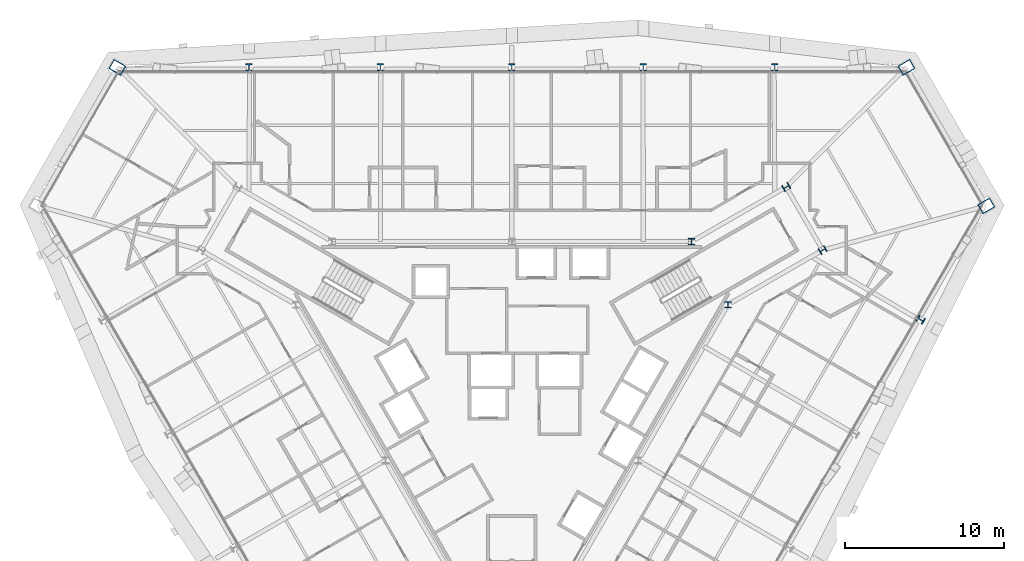
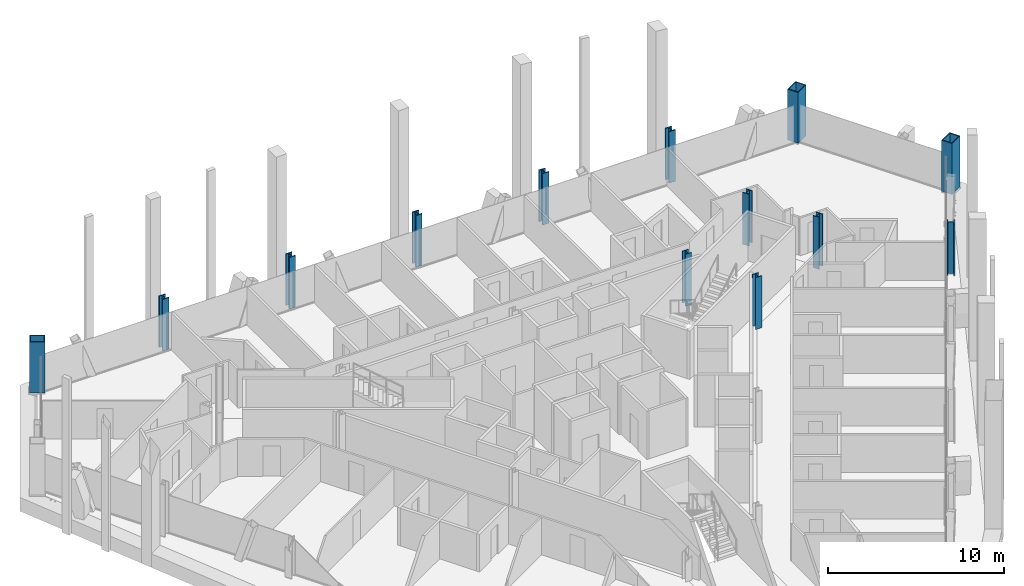
# One storey, part 2 of 17: 13 columns.
"""IFC4 building model written with IfcOpenShell, lengths in metres."""

from ifc_helpers import new_model, si_unit, direction, frame, origin, origin_2d, place, context, subcontext, project, spatial, hollow_rectangle, i_section, extrude, material, material_profile, profile_set, type_object, element, save


model = new_model("IFC4")

# Units and contexts
model_context = context("Model", 3, precision=1e-05, world=origin(), true_north=direction((0.0, 1.0)))
body_context = subcontext(model_context, "Body", "Model", "MODEL_VIEW")
ifc_project = project(units=[si_unit("LENGTHUNIT", "METRE"), si_unit("AREAUNIT", "SQUARE_METRE"), si_unit("VOLUMEUNIT", "CUBIC_METRE"), si_unit("PLANEANGLEUNIT", "RADIAN"), si_unit("MASSUNIT", "GRAM", prefix="KILO")], contexts=[model_context])

# Site, building, storey
site_placement = place(None, origin())
site = spatial("IfcSite", under=ifc_project, at=site_placement, CompositionType="ELEMENT")
building_placement = place(site_placement, origin())
building = spatial("IfcBuilding", under=site, at=building_placement, Name="Verrane Prism Tower", CompositionType="ELEMENT")
storey_placement = place(building_placement, frame((0.0, 0.0, 132.39990234375)))
storey = spatial("IfcBuildingStorey", under=building, at=storey_placement, Name="L32", CompositionType="ELEMENT", Elevation=132.39990234375)

# Columns
ifc_material_1 = material(Name="Steel A992", Category="steel")
ifc_material_profile_1 = material_profile(ifc_material_1, i_section(OverallWidth=0.411376953125, OverallDepth=0.434326171875, WebThickness=0.035888671875, FlangeThickness=0.057373046875, FilletRadius=0.01513671875, at=origin_2d()), Name="W14x311")
ifc_profile_set_1 = profile_set([ifc_material_profile_1], Name="Steel A992")
column_type_1 = type_object("IfcColumnType", Name="Core corner column W14x311", PredefinedType="COLUMN", material=ifc_profile_set_1)
for number, where, z_axis, x_axis, name in (
    (1, (19.60009765625, 8.659912109375, 0.0), (0.0, 0.0, 1.0), (0.5, -0.866025403784, 0.0), "Core corner column CK-NEm L32"),
    (2, (17.300048828125, 12.639892578125, 0.0), (0.0, 0.0, 1.0), (0.5, -0.866025403784, 0.0), "Core corner column CK-NEp L32"),
):
    element("IfcColumn", number, at=place(storey_placement, frame(where, z_axis=z_axis, x_axis=x_axis)), inside=storey, type_object=column_type_1, Name=name, PredefinedType="COLUMN", context=body_context, shape_type="SweptSolid", body=[
        extrude(i_section(OverallWidth=0.411376953125, OverallDepth=0.434326171875, WebThickness=0.035888671875, FlangeThickness=0.057373046875, FilletRadius=0.01513671875, at=origin_2d()), origin(), (0.0, 0.0, 1.0), 3.60009765625),
    ])
ifc_material_2 = material(Name="Steel A992", Category="steel")
ifc_material_profile_2 = material_profile(ifc_material_2, i_section(OverallWidth=0.4013671875, OverallDepth=0.398681640625, WebThickness=0.02490234375, FlangeThickness=0.03955078125, FilletRadius=0.01513671875, at=origin_2d()), Name="W14x211")
ifc_profile_set_2 = profile_set([ifc_material_profile_2], Name="Steel A992")
column_type_2 = type_object("IfcColumnType", Name="Core side column W14x211", PredefinedType="COLUMN", material=ifc_profile_set_2)
for number, where, z_axis, x_axis, name in (
    (3, (13.6298828125, 5.219970703125, 0.0), (0.0, 0.0, 1.0), (1.0, 0.0, 0.0), "Core side column CC-NEm L32"),
    (4, (11.330078125, 9.199951171875, 0.0), (0.0, 0.0, 1.0), (1.0, 0.0, 0.0), "Core side column CC-NEp L32"),
):
    element("IfcColumn", number, at=place(storey_placement, frame(where, z_axis=z_axis, x_axis=x_axis)), inside=storey, type_object=column_type_2, Name=name, PredefinedType="COLUMN", context=body_context, shape_type="SweptSolid", body=[
        extrude(i_section(OverallWidth=0.4013671875, OverallDepth=0.398681640625, WebThickness=0.02490234375, FlangeThickness=0.03955078125, FilletRadius=0.01513671875, at=origin_2d()), origin(), (0.0, 0.0, 1.0), 3.60009765625),
    ])
ifc_material_3 = material(Name="Steel A572 Grade 50", Category="steel")
ifc_material_profile_3 = material_profile(ifc_material_3, hollow_rectangle(XDim=0.699951171875, YDim=0.89990234375, WallThickness=0.06494140625, at=origin_2d()), Name="BOX 900x700x65")
ifc_profile_set_3 = profile_set([ifc_material_profile_3], Name="Steel A572 Grade 50")
column_type_3 = type_object("IfcColumnType", Name="Megacolumn BOX 900x700x65", PredefinedType="COLUMN", material=ifc_profile_set_3)
for number, where, z_axis, x_axis, name in (
    (5, (24.8798828125, 20.18994140625, 0.0751953125), (0.0, 0.0, 1.0), (0.5, -0.866025403784, 0.0), "Megacolumn MC-NE.b L32"),
    (6, (-24.8798828125, 20.18994140625, 0.0751953125), (0.0, 0.0, 1.0), (0.5, 0.866025403784, 0.0), "Megacolumn MC-NW.a L32"),
    (7, (29.919921875, 11.449951171875, 0.0751953125), (0.0, 0.0, 1.0), (0.5, -0.866025403784, 0.0), "Megacolumn MC-NE.a L32"),
):
    element("IfcColumn", number, at=place(storey_placement, frame(where, z_axis=z_axis, x_axis=x_axis)), inside=storey, type_object=column_type_3, Name=name, PredefinedType="COLUMN", context=body_context, shape_type="SweptSolid", body=[
        extrude(hollow_rectangle(XDim=0.699951171875, YDim=0.89990234375, WallThickness=0.06494140625, at=origin_2d()), origin(), (0.0, 0.0, 1.0), 3.52490234375),
    ])
ifc_material_4 = material(Name="Steel A992", Category="steel")
ifc_material_profile_4 = material_profile(ifc_material_4, i_section(OverallWidth=0.419189453125, OverallDepth=0.45458984375, WebThickness=0.042236328125, FlangeThickness=0.067626953125, FilletRadius=0.01513671875, at=origin_2d()), Name="W14x370")
ifc_profile_set_4 = profile_set([ifc_material_profile_4], Name="Steel A992")
column_type_4 = type_object("IfcColumnType", Name="Perimeter column W14x370", PredefinedType="COLUMN", material=ifc_profile_set_4)
for number, where, z_axis, x_axis, name in (
    (8, (16.580078125, 20.18994140625, 0.0400390625), (0.0, 0.0, 1.0), (1.0, 0.0, 0.0), "Perimeter column PC-N1 L32"),
    (9, (8.2900390625, 20.18994140625, 0.0400390625), (0.0, 0.0, 1.0), (1.0, 0.0, 0.0), "Perimeter column PC-N2 L32"),
):
    element("IfcColumn", number, at=place(storey_placement, frame(where, z_axis=z_axis, x_axis=x_axis)), inside=storey, type_object=column_type_4, Name=name, PredefinedType="COLUMN", context=body_context, shape_type="SweptSolid", body=[
        extrude(i_section(OverallWidth=0.419189453125, OverallDepth=0.45458984375, WebThickness=0.042236328125, FlangeThickness=0.067626953125, FilletRadius=0.01513671875, at=origin_2d()), origin(), (0.0, 0.0, 1.0), 3.56005859375),
    ])
column_placement = place(storey_placement, frame((0.0, 20.18994140625, 0.03515625), z_axis=(0.0, 0.0, 1.0), x_axis=(1.0, 0.0, 0.0)))
element("IfcColumn", 10, at=column_placement, inside=storey, type_object=column_type_4, Name="Perimeter column PC-N3 L32", PredefinedType="COLUMN", context=body_context, shape_type="SweptSolid", body=[
    extrude(i_section(OverallWidth=0.419189453125, OverallDepth=0.45458984375, WebThickness=0.042236328125, FlangeThickness=0.067626953125, FilletRadius=0.01513671875, at=origin_2d()), origin(), (0.0, 0.0, 1.0), 3.56494140625),
])
for number, where, z_axis, x_axis, name in (
    (11, (-8.2900390625, 20.18994140625, 0.0400390625), (0.0, 0.0, 1.0), (1.0, 0.0, 0.0), "Perimeter column PC-N4 L32"),
    (12, (-16.580078125, 20.18994140625, 0.0400390625), (0.0, 0.0, 1.0), (1.0, 0.0, 0.0), "Perimeter column PC-N5 L32"),
    (13, (25.780029296875, 4.27001953125, 0.0400390625), (0.0, 0.0, 1.0), (-0.5, -0.866025403784, 0.0), "Perimeter column PC-SE5 L32"),
):
    element("IfcColumn", number, at=place(storey_placement, frame(where, z_axis=z_axis, x_axis=x_axis)), inside=storey, type_object=column_type_4, Name=name, PredefinedType="COLUMN", context=body_context, shape_type="SweptSolid", body=[
        extrude(i_section(OverallWidth=0.419189453125, OverallDepth=0.45458984375, WebThickness=0.042236328125, FlangeThickness=0.067626953125, FilletRadius=0.01513671875, at=origin_2d()), origin(), (0.0, 0.0, 1.0), 3.56005859375),
    ])

save(model, "model.ifc")
